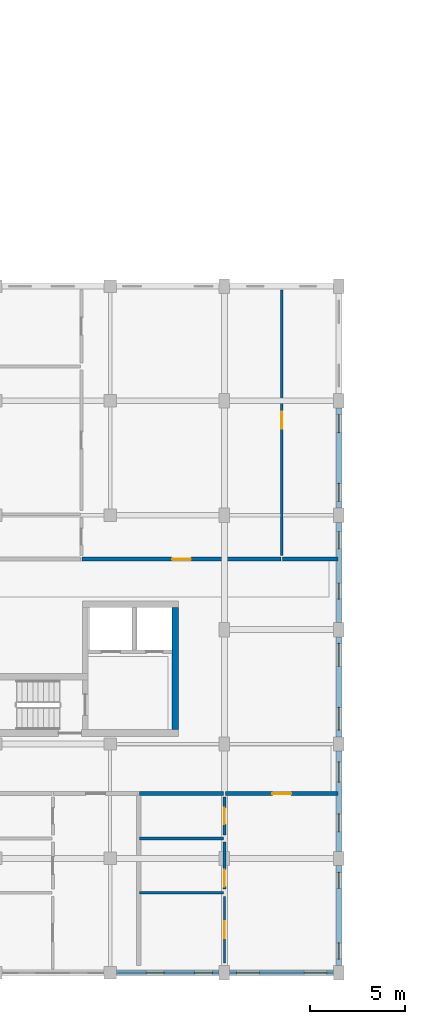
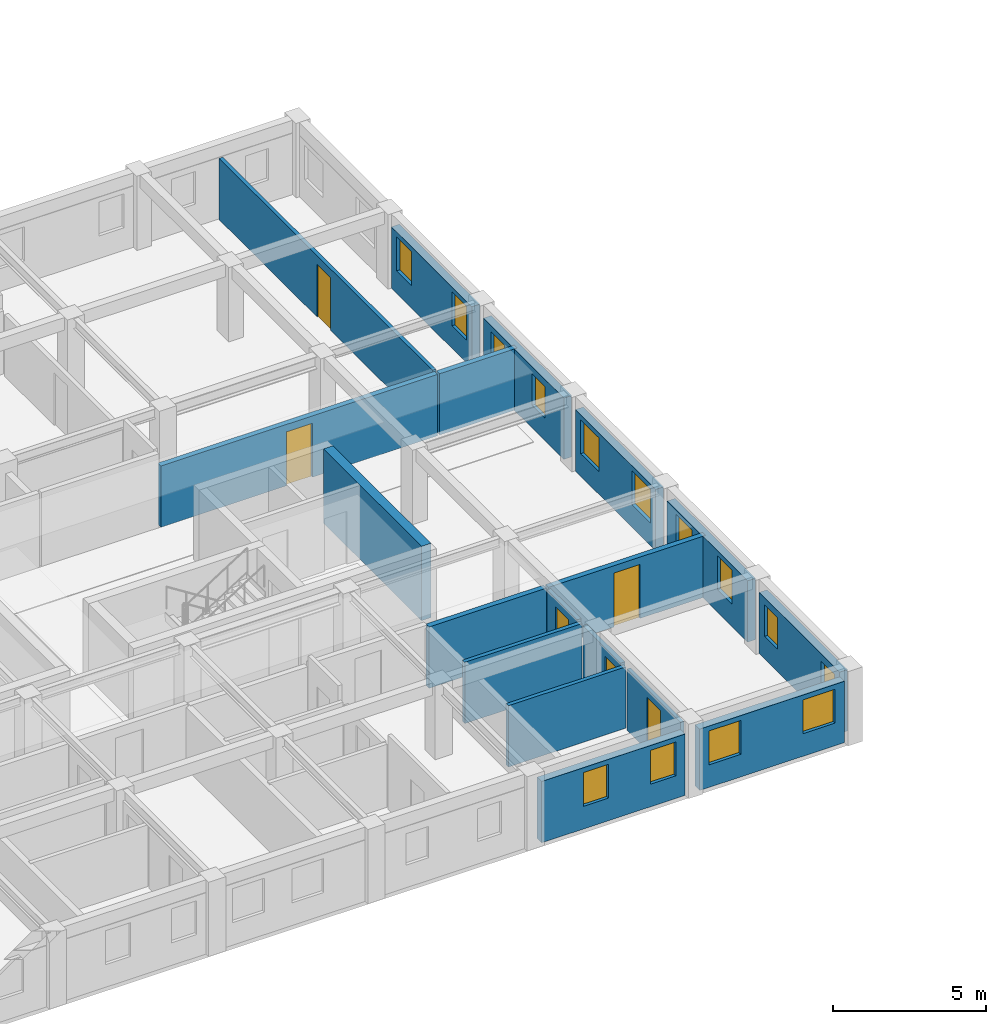
# One storey, part 75 of 100: 18 walls, 14 windows, 6 doors, 20 openings.
"""IFC4 building model written with IfcOpenShell, lengths in metres."""

from ifc_helpers import new_model, si_unit, direction, frame, frame_2d, origin, place, context, subcontext, project, spatial, rectangle, extrude, material, layer, layer_set, type_object, element, fill, save


model = new_model("IFC4")

# Units and contexts
model_context = context("Model", 3, precision=1e-05, world=origin(), true_north=direction((0.0, 1.0)))
body_context = subcontext(model_context, "Body", "Model", "MODEL_VIEW")
ifc_project = project(units=[si_unit("LENGTHUNIT", "METRE"), si_unit("AREAUNIT", "SQUARE_METRE"), si_unit("VOLUMEUNIT", "CUBIC_METRE"), si_unit("PLANEANGLEUNIT", "RADIAN"), si_unit("MASSUNIT", "GRAM", prefix="KILO"), si_unit("POWERUNIT", "WATT"), si_unit("THERMODYNAMICTEMPERATUREUNIT", "KELVIN")], contexts=[model_context])

# Site, building, storey
site_placement = place(None, origin())
site = spatial("IfcSite", under=ifc_project, at=site_placement, CompositionType="ELEMENT")
building_placement = place(site_placement, origin())
building = spatial("IfcBuilding", under=site, at=building_placement, Name="Ruvembo Vaulted Housing Court", CompositionType="ELEMENT")
storey_placement = place(building_placement, frame((0.0, 0.0, 10.89990234375)))
storey = spatial("IfcBuildingStorey", under=building, at=storey_placement, Name="L03", CompositionType="ELEMENT", Elevation=10.89990234375)

# Walls
ifc_material_1 = material(Name="Concrete C35/45", Category="concrete")
ifc_layer_1 = layer(ifc_material_1, 0.35009765625, Name="Concrete C35/45")
ifc_layer_set_1 = layer_set([ifc_layer_1], Name="Concrete C35/45")
wall_type_1 = type_object("IfcWallType", Name="WL-CORE-350", PredefinedType="SHEAR", material=ifc_layer_set_1)
wall_1_placement = place(storey_placement, frame((129.425048828125, 12.75, 0.0), z_axis=(0.0, 0.0, 1.0), x_axis=(0.0, 1.0, 0.0)))
element("IfcWall", 1, at=wall_1_placement, inside=storey, type_object=wall_type_1, Name="Core C2 L03 East Shear Wall", PredefinedType="SHEAR", context=body_context, shape_type="SweptSolid", body=[
    extrude(rectangle(XDim=6.39990234375, YDim=0.35009765625, at=frame_2d((3.199951171875, 0.0))), origin(), (0.0, 0.0, 1.0), 2.960205078125),
])
ifc_material_2 = material(Name="Concrete Blockwork 200", Category="masonry")
ifc_layer_2 = layer(ifc_material_2, 0.199951171875, Name="Concrete Blockwork 200")
ifc_layer_set_2 = layer_set([ifc_layer_2], Name="Concrete Blockwork 200")
wall_type_2 = type_object("IfcWallType", Name="WL-CORR-200", PredefinedType="SOLIDWALL", material=ifc_layer_set_2)
wall_2_placement = place(storey_placement, frame((127.5400390625, 9.39990234375, 0.0), z_axis=(0.0, 0.0, 1.0), x_axis=(1.0, 0.0, 0.0)))
element("IfcWall", 2, at=wall_2_placement, inside=storey, type_object=wall_type_2, Name="L03 Flat C-L03-S4 Corridor Wall WL-INT-L03-00899", PredefinedType="SOLIDWALL", context=body_context, shape_type="SweptSolid", body=[
    extrude(rectangle(XDim=4.419921875, YDim=0.199951171875, at=frame_2d((2.2099609375, 0.0))), origin(), (0.0, 0.0, 1.0), 2.442138671875),
])

# Wall, opening, door
wall_3_placement = place(storey_placement, frame((132.0400390625, 9.39990234375, 0.0), z_axis=(0.0, 0.0, 1.0), x_axis=(1.0, 0.0, 0.0)))
wall_3 = element("IfcWall", 3, at=wall_3_placement, inside=storey, type_object=wall_type_2, Name="L03 Flat C-L03-S4 Entrance WL-INT-L03-00900", PredefinedType="SOLIDWALL", context=body_context, shape_type="SweptSolid", body=[
    extrude(rectangle(XDim=5.919921875, YDim=0.199951171875, at=frame_2d((2.9599609375, 0.0))), origin(), (0.0, 0.0, 1.0), 2.442138671875),
])
opening_1_placement = place(wall_3_placement, frame((2.469970703125, 0.0, 0.0)))
opening_1 = element("IfcOpeningElement", 4, at=opening_1_placement, cuts=wall_3, Name="Opening FD2", PredefinedType="OPENING", context=body_context, shape_type="SweptSolid", body=[
    extrude(rectangle(XDim=0.97998046875, YDim=2.14990234375, at=frame_2d((0.489990234375, 1.074951171875))), frame((0.0, 0.10986328125, 0.0), z_axis=(0.0, -1.0, 0.0), x_axis=(1.0, 0.0, 0.0)), (0.0, 0.0, 1.0), 0.219970703125),
])
ifc_material_3 = material(Name="FSC Hardwood and Engineered Timber", Category="wood")
door_type_1 = type_object("IfcDoorType", Name="DR-FLAT-0980x2150", OperationType="NOTDEFINED", PredefinedType="DOOR", material=ifc_material_3)
door_1_placement = place(opening_1_placement, origin())
door_1 = element("IfcDoor", 5, at=door_1_placement, inside=storey, type_object=door_type_1, Name="L03 Flat C-L03-S4 Entrance Door DR-INT-L03-00496", OperationType="SINGLE_SWING_RIGHT", OverallHeight=2.14990234375, OverallWidth=0.97998046875, PredefinedType="DOOR", context=body_context, shape_type="SweptSolid", body=[
    extrude(rectangle(XDim=0.97998046875, YDim=2.14990234375, at=frame_2d((0.489990234375, 1.074951171875))), frame((0.0, 0.02490234375, 0.0), z_axis=(0.0, -1.0, 0.0), x_axis=(1.0, 0.0, 0.0)), (0.0, 0.0, 1.0), 0.050048828125),
])
fill(opening_1, door_1)

wall_4_placement = place(storey_placement, frame((124.5400390625, 21.699951171875, 0.0), z_axis=(0.0, 0.0, 1.0), x_axis=(1.0, 0.0, 0.0)))
wall_4 = element("IfcWall", 6, at=wall_4_placement, inside=storey, type_object=wall_type_2, Name="L03 Flat C-L03-N2 Entrance WL-INT-L03-00917", PredefinedType="SOLIDWALL", context=body_context, shape_type="SweptSolid", body=[
    extrude(rectangle(XDim=10.419921875, YDim=0.199951171875, at=frame_2d((5.2099609375, 0.0))), origin(), (0.0, 0.0, 1.0), 2.442138671875),
])
opening_2_placement = place(wall_4_placement, frame((4.719970703125, 0.0, 0.0)))
opening_2 = element("IfcOpeningElement", 7, at=opening_2_placement, cuts=wall_4, Name="Opening FD2", PredefinedType="OPENING", context=body_context, shape_type="SweptSolid", body=[
    extrude(rectangle(XDim=0.97998046875, YDim=2.14990234375, at=frame_2d((0.489990234375, 1.074951171875))), frame((0.0, 0.10986328125, 0.0), z_axis=(0.0, -1.0, 0.0), x_axis=(1.0, 0.0, 0.0)), (0.0, 0.0, 1.0), 0.219970703125),
])
door_2_placement = place(opening_2_placement, origin())
door_2 = element("IfcDoor", 8, at=door_2_placement, inside=storey, type_object=door_type_1, Name="L03 Flat C-L03-N2 Entrance Door DR-INT-L03-00505", OperationType="SINGLE_SWING_LEFT", OverallHeight=2.14990234375, OverallWidth=0.97998046875, PredefinedType="DOOR", context=body_context, shape_type="SweptSolid", body=[
    extrude(rectangle(XDim=0.97998046875, YDim=2.14990234375, at=frame_2d((0.489990234375, 1.074951171875))), frame((0.0, 0.02490234375, 0.0), z_axis=(0.0, -1.0, 0.0), x_axis=(1.0, 0.0, 0.0)), (0.0, 0.0, 1.0), 0.050048828125),
])
fill(opening_2, door_2)

# Wall
wall_5_placement = place(storey_placement, frame((135.0400390625, 21.699951171875, 0.0), z_axis=(0.0, 0.0, 1.0), x_axis=(1.0, 0.0, 0.0)))
element("IfcWall", 9, at=wall_5_placement, inside=storey, type_object=wall_type_2, Name="L03 Flat C-L03-N2 Corridor Wall 2 WL-INT-L03-00923", PredefinedType="SOLIDWALL", context=body_context, shape_type="SweptSolid", body=[
    extrude(rectangle(XDim=2.919921875, YDim=0.199951171875, at=frame_2d((1.4599609375, 0.0))), origin(), (0.0, 0.0, 1.0), 2.442138671875),
])

# Wall, openings, windows
ifc_material_4 = material(Name="Rendered Masonry 300", Category="masonry")
ifc_layer_3 = layer(ifc_material_4, 0.300048828125, Name="Rendered Masonry 300")
ifc_layer_set_3 = layer_set([ifc_layer_3], Name="Rendered Masonry 300")
wall_type_3 = type_object("IfcWallType", Name="WL-EXT-300", PredefinedType="STANDARD", material=ifc_layer_set_3)
wall_6_placement = place(storey_placement, frame((126.324951171875, 0.0, 0.0), z_axis=(0.0, 0.0, 1.0), x_axis=(1.0, 0.0, 0.0)))
wall_6 = element("IfcWall", 10, at=wall_6_placement, inside=storey, type_object=wall_type_3, Name="Block C L03 Exterior Wall STREET #5", PredefinedType="STANDARD", context=body_context, shape_type="SweptSolid", body=[
    extrude(rectangle(XDim=5.400146484375, YDim=0.300048828125, at=frame_2d((2.7001953125, 0.0))), origin(), (0.0, 0.0, 1.0), 2.442138671875),
])
opening_3_placement = place(wall_6_placement, frame((1.56494140625, 0.0, 0.89990234375)))
opening_3 = element("IfcOpeningElement", 11, at=opening_3_placement, cuts=wall_6, Name="Opening W07", PredefinedType="OPENING", context=body_context, shape_type="SweptSolid", body=[
    extrude(rectangle(XDim=0.949951171875, YDim=1.35009765625, at=frame_2d((0.47509765625, 0.675048828125))), frame((0.0, 0.159912109375, 0.0), z_axis=(0.0, -1.0, 0.0), x_axis=(1.0, 0.0, 0.0)), (0.0, 0.0, 1.0), 0.320068359375),
])
opening_4_placement = place(wall_6_placement, frame((4.10009765625, 0.0, 0.89990234375)))
opening_4 = element("IfcOpeningElement", 12, at=opening_4_placement, cuts=wall_6, Name="Opening W07", PredefinedType="OPENING", context=body_context, shape_type="SweptSolid", body=[
    extrude(rectangle(XDim=0.949951171875, YDim=1.35009765625, at=frame_2d((0.47509765625, 0.675048828125))), frame((0.0, 0.159912109375, 0.0), z_axis=(0.0, -1.0, 0.0), x_axis=(1.0, 0.0, 0.0)), (0.0, 0.0, 1.0), 0.320068359375),
])
ifc_material_5 = material(Name="Double Solar-Control Glazing in Aluminium Frame", Category="aluminium")
window_type_1 = type_object("IfcWindowType", Name="WIN-0950x1350", PartitioningType="SINGLE_PANEL", PredefinedType="WINDOW", material=ifc_material_5)
window_1_placement = place(opening_3_placement, origin())
window_1 = element("IfcWindow", 13, at=window_1_placement, inside=storey, type_object=window_type_1, Name="Block C L03 Window #1203", OverallHeight=1.35009765625, OverallWidth=0.949951171875, PartitioningType="SINGLE_PANEL", PredefinedType="WINDOW", context=body_context, shape_type="SweptSolid", body=[
    extrude(rectangle(XDim=0.949951171875, YDim=1.35009765625, at=frame_2d((0.47509765625, 0.675048828125))), frame((0.0, 0.030029296875, 0.0), z_axis=(0.0, -1.0, 0.0), x_axis=(1.0, 0.0, 0.0)), (0.0, 0.0, 1.0), 0.06005859375),
])
fill(opening_3, window_1)
window_2_placement = place(opening_4_placement, origin())
window_2 = element("IfcWindow", 14, at=window_2_placement, inside=storey, type_object=window_type_1, Name="Block C L03 Window #1204", OverallHeight=1.35009765625, OverallWidth=0.949951171875, PartitioningType="SINGLE_PANEL", PredefinedType="WINDOW", context=body_context, shape_type="SweptSolid", body=[
    extrude(rectangle(XDim=0.949951171875, YDim=1.35009765625, at=frame_2d((0.47509765625, 0.675048828125))), frame((0.0, 0.030029296875, 0.0), z_axis=(0.0, -1.0, 0.0), x_axis=(1.0, 0.0, 0.0)), (0.0, 0.0, 1.0), 0.06005859375),
])
fill(opening_4, window_2)

wall_7_placement = place(storey_placement, frame((132.27490234375, 0.0, 0.0), z_axis=(0.0, 0.0, 1.0), x_axis=(1.0, 0.0, 0.0)))
wall_7 = element("IfcWall", 15, at=wall_7_placement, inside=storey, type_object=wall_type_3, Name="Block C L03 Exterior Wall STREET #6", PredefinedType="STANDARD", context=body_context, shape_type="SweptSolid", body=[
    extrude(rectangle(XDim=5.4501953125, YDim=0.300048828125, at=frame_2d((2.72509765625, 0.0))), origin(), (0.0, 0.0, 1.0), 2.442138671875),
])
opening_5_placement = place(wall_7_placement, frame((0.35009765625, 0.0, 0.89990234375)))
opening_5 = element("IfcOpeningElement", 16, at=opening_5_placement, cuts=wall_7, Name="Opening W12", PredefinedType="OPENING", context=body_context, shape_type="SweptSolid", body=[
    extrude(rectangle(XDim=1.199951171875, YDim=1.35009765625, at=frame_2d((0.60009765625, 0.675048828125))), frame((0.0, 0.159912109375, 0.0), z_axis=(0.0, -1.0, 0.0), x_axis=(1.0, 0.0, 0.0)), (0.0, 0.0, 1.0), 0.320068359375),
])
opening_6_placement = place(wall_7_placement, frame((3.89990234375, 0.0, 0.89990234375)))
opening_6 = element("IfcOpeningElement", 17, at=opening_6_placement, cuts=wall_7, Name="Opening W12", PredefinedType="OPENING", context=body_context, shape_type="SweptSolid", body=[
    extrude(rectangle(XDim=1.199951171875, YDim=1.35009765625, at=frame_2d((0.60009765625, 0.675048828125))), frame((0.0, 0.159912109375, 0.0), z_axis=(0.0, -1.0, 0.0), x_axis=(1.0, 0.0, 0.0)), (0.0, 0.0, 1.0), 0.320068359375),
])
window_type_2 = type_object("IfcWindowType", Name="WIN-1200x1350", PartitioningType="SINGLE_PANEL", PredefinedType="WINDOW", material=ifc_material_5)
window_3_placement = place(opening_5_placement, origin())
window_3 = element("IfcWindow", 18, at=window_3_placement, inside=storey, type_object=window_type_2, Name="Block C L03 Window #1205", OverallHeight=1.35009765625, OverallWidth=1.199951171875, PartitioningType="SINGLE_PANEL", PredefinedType="WINDOW", context=body_context, shape_type="SweptSolid", body=[
    extrude(rectangle(XDim=1.199951171875, YDim=1.35009765625, at=frame_2d((0.60009765625, 0.675048828125))), frame((0.0, 0.030029296875, 0.0), z_axis=(0.0, -1.0, 0.0), x_axis=(1.0, 0.0, 0.0)), (0.0, 0.0, 1.0), 0.06005859375),
])
fill(opening_5, window_3)
window_4_placement = place(opening_6_placement, origin())
window_4 = element("IfcWindow", 19, at=window_4_placement, inside=storey, type_object=window_type_2, Name="Block C L03 Window #1206", OverallHeight=1.35009765625, OverallWidth=1.199951171875, PartitioningType="SINGLE_PANEL", PredefinedType="WINDOW", context=body_context, shape_type="SweptSolid", body=[
    extrude(rectangle(XDim=1.199951171875, YDim=1.35009765625, at=frame_2d((0.60009765625, 0.675048828125))), frame((0.0, 0.030029296875, 0.0), z_axis=(0.0, -1.0, 0.0), x_axis=(1.0, 0.0, 0.0)), (0.0, 0.0, 1.0), 0.06005859375),
])
fill(opening_6, window_4)

wall_8_placement = place(storey_placement, frame((138.0, 0.375, 0.0), z_axis=(0.0, 0.0, 1.0), x_axis=(0.0, 1.0, 0.0)))
wall_8 = element("IfcWall", 20, at=wall_8_placement, inside=storey, type_object=wall_type_3, Name="Block C L03 Exterior Wall EAST #1", PredefinedType="STANDARD", context=body_context, shape_type="SweptSolid", body=[
    extrude(rectangle(XDim=5.25, YDim=0.300048828125, at=frame_2d((2.625, 0.0))), origin(), (0.0, 0.0, 1.0), 2.442138671875),
])
opening_7_placement = place(wall_8_placement, frame((0.35009765625, 0.0, 0.89990234375)))
opening_7 = element("IfcOpeningElement", 21, at=opening_7_placement, cuts=wall_8, Name="Opening W03", PredefinedType="OPENING", context=body_context, shape_type="SweptSolid", body=[
    extrude(rectangle(XDim=0.85009765625, YDim=1.25, at=frame_2d((0.425048828125, 0.625))), frame((0.0, 0.159912109375, 0.0), z_axis=(0.0, -1.0, 0.0), x_axis=(1.0, 0.0, 0.0)), (0.0, 0.0, 1.0), 0.320068359375),
])
opening_8_placement = place(wall_8_placement, frame((4.050048828125, 0.0, 0.89990234375)))
opening_8 = element("IfcOpeningElement", 22, at=opening_8_placement, cuts=wall_8, Name="Opening W03", PredefinedType="OPENING", context=body_context, shape_type="SweptSolid", body=[
    extrude(rectangle(XDim=0.85009765625, YDim=1.25, at=frame_2d((0.425048828125, 0.625))), frame((0.0, 0.159912109375, 0.0), z_axis=(0.0, -1.0, 0.0), x_axis=(1.0, 0.0, 0.0)), (0.0, 0.0, 1.0), 0.320068359375),
])
window_type_3 = type_object("IfcWindowType", Name="WIN-0850x1250", PartitioningType="SINGLE_PANEL", PredefinedType="WINDOW", material=ifc_material_5)
window_5_placement = place(opening_7_placement, origin())
window_5 = element("IfcWindow", 23, at=window_5_placement, inside=storey, type_object=window_type_3, Name="Block C L03 Window #1207", OverallHeight=1.25, OverallWidth=0.85009765625, PartitioningType="SINGLE_PANEL", PredefinedType="WINDOW", context=body_context, shape_type="SweptSolid", body=[
    extrude(rectangle(XDim=0.85009765625, YDim=1.25, at=frame_2d((0.425048828125, 0.625))), frame((0.0, 0.030029296875, 0.0), z_axis=(0.0, -1.0, 0.0), x_axis=(1.0, 0.0, 0.0)), (0.0, 0.0, 1.0), 0.06005859375),
])
fill(opening_7, window_5)
window_6_placement = place(opening_8_placement, origin())
window_6 = element("IfcWindow", 24, at=window_6_placement, inside=storey, type_object=window_type_3, Name="Block C L03 Window #1208", OverallHeight=1.25, OverallWidth=0.85009765625, PartitioningType="SINGLE_PANEL", PredefinedType="WINDOW", context=body_context, shape_type="SweptSolid", body=[
    extrude(rectangle(XDim=0.85009765625, YDim=1.25, at=frame_2d((0.425048828125, 0.625))), frame((0.0, 0.030029296875, 0.0), z_axis=(0.0, -1.0, 0.0), x_axis=(1.0, 0.0, 0.0)), (0.0, 0.0, 1.0), 0.06005859375),
])
fill(opening_8, window_6)

wall_9_placement = place(storey_placement, frame((138.0, 6.375, 0.0), z_axis=(0.0, 0.0, 1.0), x_axis=(0.0, 1.0, 0.0)))
wall_9 = element("IfcWall", 25, at=wall_9_placement, inside=storey, type_object=wall_type_3, Name="Block C L03 Exterior Wall EAST #2", PredefinedType="STANDARD", context=body_context, shape_type="SweptSolid", body=[
    extrude(rectangle(XDim=5.25, YDim=0.300048828125, at=frame_2d((2.625, 0.0))), origin(), (0.0, 0.0, 1.0), 2.442138671875),
])
opening_9_placement = place(wall_9_placement, frame((1.017578125, 0.0, 0.89990234375)))
opening_9 = element("IfcOpeningElement", 26, at=opening_9_placement, cuts=wall_9, Name="Opening W07", PredefinedType="OPENING", context=body_context, shape_type="SweptSolid", body=[
    extrude(rectangle(XDim=0.949951171875, YDim=1.35009765625, at=frame_2d((0.47509765625, 0.675048828125))), frame((0.0, 0.159912109375, 0.0), z_axis=(0.0, -1.0, 0.0), x_axis=(1.0, 0.0, 0.0)), (0.0, 0.0, 1.0), 0.320068359375),
])
opening_10_placement = place(wall_9_placement, frame((3.632568359375, 0.0, 0.89990234375)))
opening_10 = element("IfcOpeningElement", 27, at=opening_10_placement, cuts=wall_9, Name="Opening W09", PredefinedType="OPENING", context=body_context, shape_type="SweptSolid", body=[
    extrude(rectangle(XDim=1.050048828125, YDim=1.35009765625, at=frame_2d((0.52490234375, 0.675048828125))), frame((0.0, 0.159912109375, 0.0), z_axis=(0.0, -1.0, 0.0), x_axis=(1.0, 0.0, 0.0)), (0.0, 0.0, 1.0), 0.320068359375),
])
window_7_placement = place(opening_9_placement, origin())
window_7 = element("IfcWindow", 28, at=window_7_placement, inside=storey, type_object=window_type_1, Name="Block C L03 Window #1209", OverallHeight=1.35009765625, OverallWidth=0.949951171875, PartitioningType="SINGLE_PANEL", PredefinedType="WINDOW", context=body_context, shape_type="SweptSolid", body=[
    extrude(rectangle(XDim=0.949951171875, YDim=1.35009765625, at=frame_2d((0.47509765625, 0.675048828125))), frame((0.0, 0.030029296875, 0.0), z_axis=(0.0, -1.0, 0.0), x_axis=(1.0, 0.0, 0.0)), (0.0, 0.0, 1.0), 0.06005859375),
])
fill(opening_9, window_7)
window_type_4 = type_object("IfcWindowType", Name="WIN-1050x1350", PartitioningType="SINGLE_PANEL", PredefinedType="WINDOW", material=ifc_material_5)
window_8_placement = place(opening_10_placement, origin())
window_8 = element("IfcWindow", 29, at=window_8_placement, inside=storey, type_object=window_type_4, Name="Block C L03 Window #1210", OverallHeight=1.35009765625, OverallWidth=1.050048828125, PartitioningType="SINGLE_PANEL", PredefinedType="WINDOW", context=body_context, shape_type="SweptSolid", body=[
    extrude(rectangle(XDim=1.050048828125, YDim=1.35009765625, at=frame_2d((0.52490234375, 0.675048828125))), frame((0.0, 0.030029296875, 0.0), z_axis=(0.0, -1.0, 0.0), x_axis=(1.0, 0.0, 0.0)), (0.0, 0.0, 1.0), 0.06005859375),
])
fill(opening_10, window_8)

wall_10_placement = place(storey_placement, frame((138.0, 12.375, 0.0), z_axis=(0.0, 0.0, 1.0), x_axis=(0.0, 1.0, 0.0)))
wall_10 = element("IfcWall", 30, at=wall_10_placement, inside=storey, type_object=wall_type_3, Name="Block C L03 Exterior Wall EAST #3", PredefinedType="STANDARD", context=body_context, shape_type="SweptSolid", body=[
    extrude(rectangle(XDim=5.25, YDim=0.300048828125, at=frame_2d((2.625, 0.0))), origin(), (0.0, 0.0, 1.0), 2.442138671875),
])
opening_11_placement = place(wall_10_placement, frame((0.35009765625, 0.0, 0.89990234375)))
opening_11 = element("IfcOpeningElement", 31, at=opening_11_placement, cuts=wall_10, Name="Opening W12", PredefinedType="OPENING", context=body_context, shape_type="SweptSolid", body=[
    extrude(rectangle(XDim=1.199951171875, YDim=1.35009765625, at=frame_2d((0.60009765625, 0.675048828125))), frame((0.0, 0.159912109375, 0.0), z_axis=(0.0, -1.0, 0.0), x_axis=(1.0, 0.0, 0.0)), (0.0, 0.0, 1.0), 0.320068359375),
])
opening_12_placement = place(wall_10_placement, frame((3.699951171875, 0.0, 0.89990234375)))
opening_12 = element("IfcOpeningElement", 32, at=opening_12_placement, cuts=wall_10, Name="Opening W12", PredefinedType="OPENING", context=body_context, shape_type="SweptSolid", body=[
    extrude(rectangle(XDim=1.199951171875, YDim=1.35009765625, at=frame_2d((0.60009765625, 0.675048828125))), frame((0.0, 0.159912109375, 0.0), z_axis=(0.0, -1.0, 0.0), x_axis=(1.0, 0.0, 0.0)), (0.0, 0.0, 1.0), 0.320068359375),
])
window_9_placement = place(opening_11_placement, origin())
window_9 = element("IfcWindow", 33, at=window_9_placement, inside=storey, type_object=window_type_2, Name="Block C L03 Window #1211", OverallHeight=1.35009765625, OverallWidth=1.199951171875, PartitioningType="SINGLE_PANEL", PredefinedType="WINDOW", context=body_context, shape_type="SweptSolid", body=[
    extrude(rectangle(XDim=1.199951171875, YDim=1.35009765625, at=frame_2d((0.60009765625, 0.675048828125))), frame((0.0, 0.030029296875, 0.0), z_axis=(0.0, -1.0, 0.0), x_axis=(1.0, 0.0, 0.0)), (0.0, 0.0, 1.0), 0.06005859375),
])
fill(opening_11, window_9)
window_10_placement = place(opening_12_placement, origin())
window_10 = element("IfcWindow", 34, at=window_10_placement, inside=storey, type_object=window_type_2, Name="Block C L03 Window #1212", OverallHeight=1.35009765625, OverallWidth=1.199951171875, PartitioningType="SINGLE_PANEL", PredefinedType="WINDOW", context=body_context, shape_type="SweptSolid", body=[
    extrude(rectangle(XDim=1.199951171875, YDim=1.35009765625, at=frame_2d((0.60009765625, 0.675048828125))), frame((0.0, 0.030029296875, 0.0), z_axis=(0.0, -1.0, 0.0), x_axis=(1.0, 0.0, 0.0)), (0.0, 0.0, 1.0), 0.06005859375),
])
fill(opening_12, window_10)

wall_11_placement = place(storey_placement, frame((138.0, 18.375, 0.0), z_axis=(0.0, 0.0, 1.0), x_axis=(0.0, 1.0, 0.0)))
wall_11 = element("IfcWall", 35, at=wall_11_placement, inside=storey, type_object=wall_type_3, Name="Block C L03 Exterior Wall EAST #4", PredefinedType="STANDARD", context=body_context, shape_type="SweptSolid", body=[
    extrude(rectangle(XDim=5.25, YDim=0.300048828125, at=frame_2d((2.625, 0.0))), origin(), (0.0, 0.0, 1.0), 2.442138671875),
])
opening_13_placement = place(wall_11_placement, frame((1.217529296875, 0.0, 0.89990234375)))
opening_13 = element("IfcOpeningElement", 36, at=opening_13_placement, cuts=wall_11, Name="Opening W03", PredefinedType="OPENING", context=body_context, shape_type="SweptSolid", body=[
    extrude(rectangle(XDim=0.85009765625, YDim=1.25, at=frame_2d((0.425048828125, 0.625))), frame((0.0, 0.159912109375, 0.0), z_axis=(0.0, -1.0, 0.0), x_axis=(1.0, 0.0, 0.0)), (0.0, 0.0, 1.0), 0.320068359375),
])
opening_14_placement = place(wall_11_placement, frame((3.857421875, 0.0, 0.89990234375)))
opening_14 = element("IfcOpeningElement", 37, at=opening_14_placement, cuts=wall_11, Name="Opening W04", PredefinedType="OPENING", context=body_context, shape_type="SweptSolid", body=[
    extrude(rectangle(XDim=0.89990234375, YDim=1.300048828125, at=frame_2d((0.449951171875, 0.64990234375))), frame((0.0, 0.159912109375, 0.0), z_axis=(0.0, -1.0, 0.0), x_axis=(1.0, 0.0, 0.0)), (0.0, 0.0, 1.0), 0.320068359375),
])
window_11_placement = place(opening_13_placement, origin())
window_11 = element("IfcWindow", 38, at=window_11_placement, inside=storey, type_object=window_type_3, Name="Block C L03 Window #1213", OverallHeight=1.25, OverallWidth=0.85009765625, PartitioningType="SINGLE_PANEL", PredefinedType="WINDOW", context=body_context, shape_type="SweptSolid", body=[
    extrude(rectangle(XDim=0.85009765625, YDim=1.25, at=frame_2d((0.425048828125, 0.625))), frame((0.0, 0.030029296875, 0.0), z_axis=(0.0, -1.0, 0.0), x_axis=(1.0, 0.0, 0.0)), (0.0, 0.0, 1.0), 0.06005859375),
])
fill(opening_13, window_11)
window_type_5 = type_object("IfcWindowType", Name="WIN-0900x1300", PartitioningType="SINGLE_PANEL", PredefinedType="WINDOW", material=ifc_material_5)
window_12_placement = place(opening_14_placement, origin())
window_12 = element("IfcWindow", 39, at=window_12_placement, inside=storey, type_object=window_type_5, Name="Block C L03 Window #1214", OverallHeight=1.300048828125, OverallWidth=0.89990234375, PartitioningType="SINGLE_PANEL", PredefinedType="WINDOW", context=body_context, shape_type="SweptSolid", body=[
    extrude(rectangle(XDim=0.89990234375, YDim=1.300048828125, at=frame_2d((0.449951171875, 0.64990234375))), frame((0.0, 0.030029296875, 0.0), z_axis=(0.0, -1.0, 0.0), x_axis=(1.0, 0.0, 0.0)), (0.0, 0.0, 1.0), 0.06005859375),
])
fill(opening_14, window_12)

wall_12_placement = place(storey_placement, frame((138.0, 24.375, 0.0), z_axis=(0.0, 0.0, 1.0), x_axis=(0.0, 1.0, 0.0)))
wall_12 = element("IfcWall", 40, at=wall_12_placement, inside=storey, type_object=wall_type_3, Name="Block C L03 Exterior Wall EAST #5", PredefinedType="STANDARD", context=body_context, shape_type="SweptSolid", body=[
    extrude(rectangle(XDim=5.25, YDim=0.300048828125, at=frame_2d((2.625, 0.0))), origin(), (0.0, 0.0, 1.0), 2.442138671875),
])
opening_15_placement = place(wall_12_placement, frame((0.35009765625, 0.0, 0.89990234375)))
opening_15 = element("IfcOpeningElement", 41, at=opening_15_placement, cuts=wall_12, Name="Opening W07", PredefinedType="OPENING", context=body_context, shape_type="SweptSolid", body=[
    extrude(rectangle(XDim=0.949951171875, YDim=1.35009765625, at=frame_2d((0.47509765625, 0.675048828125))), frame((0.0, 0.159912109375, 0.0), z_axis=(0.0, -1.0, 0.0), x_axis=(1.0, 0.0, 0.0)), (0.0, 0.0, 1.0), 0.320068359375),
])
opening_16_placement = place(wall_12_placement, frame((3.949951171875, 0.0, 0.89990234375)))
opening_16 = element("IfcOpeningElement", 42, at=opening_16_placement, cuts=wall_12, Name="Opening W07", PredefinedType="OPENING", context=body_context, shape_type="SweptSolid", body=[
    extrude(rectangle(XDim=0.949951171875, YDim=1.35009765625, at=frame_2d((0.47509765625, 0.675048828125))), frame((0.0, 0.159912109375, 0.0), z_axis=(0.0, -1.0, 0.0), x_axis=(1.0, 0.0, 0.0)), (0.0, 0.0, 1.0), 0.320068359375),
])
window_13_placement = place(opening_15_placement, origin())
window_13 = element("IfcWindow", 43, at=window_13_placement, inside=storey, type_object=window_type_1, Name="Block C L03 Window #1215", OverallHeight=1.35009765625, OverallWidth=0.949951171875, PartitioningType="SINGLE_PANEL", PredefinedType="WINDOW", context=body_context, shape_type="SweptSolid", body=[
    extrude(rectangle(XDim=0.949951171875, YDim=1.35009765625, at=frame_2d((0.47509765625, 0.675048828125))), frame((0.0, 0.030029296875, 0.0), z_axis=(0.0, -1.0, 0.0), x_axis=(1.0, 0.0, 0.0)), (0.0, 0.0, 1.0), 0.06005859375),
])
fill(opening_15, window_13)
window_14_placement = place(opening_16_placement, origin())
window_14 = element("IfcWindow", 44, at=window_14_placement, inside=storey, type_object=window_type_1, Name="Block C L03 Window #1216", OverallHeight=1.35009765625, OverallWidth=0.949951171875, PartitioningType="SINGLE_PANEL", PredefinedType="WINDOW", context=body_context, shape_type="SweptSolid", body=[
    extrude(rectangle(XDim=0.949951171875, YDim=1.35009765625, at=frame_2d((0.47509765625, 0.675048828125))), frame((0.0, 0.030029296875, 0.0), z_axis=(0.0, -1.0, 0.0), x_axis=(1.0, 0.0, 0.0)), (0.0, 0.0, 1.0), 0.06005859375),
])
fill(opening_16, window_14)

# Wall, opening, door
ifc_material_6 = material(Name="Plasterboard Stud Partition 125", Category="gypsum")
ifc_layer_4 = layer(ifc_material_6, 0.125, Name="Plasterboard Stud Partition 125")
ifc_layer_set_4 = layer_set([ifc_layer_4], Name="Plasterboard Stud Partition 125")
wall_type_4 = type_object("IfcWallType", Name="WL-PART-125", PredefinedType="PARTITIONING", material=ifc_layer_set_4)
wall_13_placement = place(storey_placement, frame((132.0, 0.510009765625, 0.0), z_axis=(0.0, 0.0, 1.0), x_axis=(0.0, 1.0, 0.0)))
wall_13 = element("IfcWall", 45, at=wall_13_placement, inside=storey, type_object=wall_type_4, Name="L03 Flat C-L03-S4 Bedroom 1 WL-INT-L03-00901", PredefinedType="PARTITIONING", context=body_context, shape_type="SweptSolid", body=[
    extrude(rectangle(XDim=3.5, YDim=0.125, at=frame_2d((1.75, 0.0))), origin(), (0.0, 0.0, 1.0), 2.442138671875),
])
opening_17_placement = place(wall_13_placement, frame((1.31005859375, 0.0, 0.0)))
opening_17 = element("IfcOpeningElement", 46, at=opening_17_placement, cuts=wall_13, Name="Opening ID3", PredefinedType="OPENING", context=body_context, shape_type="SweptSolid", body=[
    extrude(rectangle(XDim=0.8798828125, YDim=2.10009765625, at=frame_2d((0.43994140625, 1.050048828125))), frame((0.0, 0.072509765625, 0.0), z_axis=(0.0, -1.0, 0.0), x_axis=(1.0, 0.0, 0.0)), (0.0, 0.0, 1.0), 0.14501953125),
])
door_type_2 = type_object("IfcDoorType", Name="DR-ROOM-0880x2100", OperationType="NOTDEFINED", PredefinedType="DOOR", material=ifc_material_3)
door_3_placement = place(opening_17_placement, origin())
door_3 = element("IfcDoor", 47, at=door_3_placement, inside=storey, type_object=door_type_2, Name="L03 Flat C-L03-S4 Bedroom 1 Door DR-INT-L03-00497", OperationType="SINGLE_SWING_LEFT", OverallHeight=2.10009765625, OverallWidth=0.8798828125, PredefinedType="DOOR", context=body_context, shape_type="SweptSolid", body=[
    extrude(rectangle(XDim=0.8798828125, YDim=2.10009765625, at=frame_2d((0.43994140625, 1.050048828125))), frame((0.0, 0.02490234375, 0.0), z_axis=(0.0, -1.0, 0.0), x_axis=(1.0, 0.0, 0.0)), (0.0, 0.0, 1.0), 0.050048828125),
])
fill(opening_17, door_3)

ifc_material_7 = material(Name="Acoustic Stud Partition 135", Category="gypsum")
ifc_layer_5 = layer(ifc_material_7, 0.135009765625, Name="Acoustic Stud Partition 135")
ifc_layer_set_5 = layer_set([ifc_layer_5], Name="Acoustic Stud Partition 135")
wall_type_5 = type_object("IfcWallType", Name="WL-PART-135", PredefinedType="PARTITIONING", material=ifc_layer_set_5)
wall_14_placement = place(storey_placement, frame((135.0, 21.889892578125, 0.0), z_axis=(0.0, 0.0, 1.0), x_axis=(0.0, 1.0, 0.0)))
wall_14 = element("IfcWall", 48, at=wall_14_placement, inside=storey, type_object=wall_type_5, Name="L03 Flat C-L03-N2 Bedroom 2 WL-INT-L03-00924", PredefinedType="PARTITIONING", context=body_context, shape_type="SweptSolid", body=[
    extrude(rectangle(XDim=13.920166015625, YDim=0.135009765625, at=frame_2d((6.9599609375, 0.0))), origin(), (0.0, 0.0, 1.0), 2.442138671875),
])
opening_18_placement = place(wall_14_placement, frame((6.64990234375, 0.0, 0.0)))
opening_18 = element("IfcOpeningElement", 49, at=opening_18_placement, cuts=wall_14, Name="Opening ID3", PredefinedType="OPENING", context=body_context, shape_type="SweptSolid", body=[
    extrude(rectangle(XDim=0.8798828125, YDim=2.10009765625, at=frame_2d((0.43994140625, 1.050048828125))), frame((0.0, 0.077392578125, 0.0), z_axis=(0.0, -1.0, 0.0), x_axis=(1.0, 0.0, 0.0)), (0.0, 0.0, 1.0), 0.155029296875),
])
door_4_placement = place(opening_18_placement, origin())
door_4 = element("IfcDoor", 50, at=door_4_placement, inside=storey, type_object=door_type_2, Name="L03 Flat C-L03-N2 Bedroom 2 Door DR-INT-L03-00509", OperationType="SINGLE_SWING_LEFT", OverallHeight=2.10009765625, OverallWidth=0.8798828125, PredefinedType="DOOR", context=body_context, shape_type="SweptSolid", body=[
    extrude(rectangle(XDim=0.8798828125, YDim=2.10009765625, at=frame_2d((0.43994140625, 1.050048828125))), frame((0.0, 0.02490234375, 0.0), z_axis=(0.0, -1.0, 0.0), x_axis=(1.0, 0.0, 0.0)), (0.0, 0.0, 1.0), 0.050048828125),
])
fill(opening_18, door_4)

ifc_material_8 = material(Name="Moisture-Resistant Wet Partition 150", Category="gypsum")
ifc_layer_6 = layer(ifc_material_8, 0.14990234375, Name="Moisture-Resistant Wet Partition 150")
ifc_layer_set_6 = layer_set([ifc_layer_6], Name="Moisture-Resistant Wet Partition 150")
wall_type_6 = type_object("IfcWallType", Name="WL-PART-150", PredefinedType="PARTITIONING", material=ifc_layer_set_6)
wall_15_placement = place(storey_placement, frame((132.0, 7.239990234375, 0.0), z_axis=(0.0, 0.0, 1.0), x_axis=(0.0, 1.0, 0.0)))
wall_15 = element("IfcWall", 51, at=wall_15_placement, inside=storey, type_object=wall_type_6, Name="L03 Flat C-L03-S4 Bathroom WL-INT-L03-00903", PredefinedType="PARTITIONING", context=body_context, shape_type="SweptSolid", body=[
    extrude(rectangle(XDim=1.969970703125, YDim=0.14990234375, at=frame_2d((0.98486328125, 0.0))), origin(), (0.0, 0.0, 1.0), 2.442138671875),
])
opening_19_placement = place(wall_15_placement, frame((0.56005859375, 0.0, 0.0)))
opening_19 = element("IfcOpeningElement", 52, at=opening_19_placement, cuts=wall_15, Name="Opening ID2", PredefinedType="OPENING", context=body_context, shape_type="SweptSolid", body=[
    extrude(rectangle(XDim=0.85009765625, YDim=2.10009765625, at=frame_2d((0.425048828125, 1.050048828125))), frame((0.0, 0.0849609375, 0.0), z_axis=(0.0, -1.0, 0.0), x_axis=(1.0, 0.0, 0.0)), (0.0, 0.0, 1.0), 0.169921875),
])
door_type_3 = type_object("IfcDoorType", Name="DR-WET-0850x2100", OperationType="NOTDEFINED", PredefinedType="DOOR", material=ifc_material_3)
door_5_placement = place(opening_19_placement, origin())
door_5 = element("IfcDoor", 53, at=door_5_placement, inside=storey, type_object=door_type_3, Name="L03 Flat C-L03-S4 Bathroom Door DR-INT-L03-00499", OperationType="SINGLE_SWING_LEFT", OverallHeight=2.10009765625, OverallWidth=0.85009765625, PredefinedType="DOOR", context=body_context, shape_type="SweptSolid", body=[
    extrude(rectangle(XDim=0.85009765625, YDim=2.10009765625, at=frame_2d((0.425048828125, 1.050048828125))), frame((0.0, 0.02490234375, 0.0), z_axis=(0.0, -1.0, 0.0), x_axis=(1.0, 0.0, 0.0)), (0.0, 0.0, 1.0), 0.050048828125),
])
fill(opening_19, door_5)

# Walls
for number, where, z_axis, x_axis, name in (
    (54, (127.5400390625, 4.199951171875, 0.0), (0.0, 0.0, 1.0), (1.0, 0.0, 0.0), "L03 Flat C-L03-S4 Wet Wall 1 WL-INT-L03-00904"),
    (55, (127.5400390625, 7.050048828125, 0.0), (0.0, 0.0, 1.0), (1.0, 0.0, 0.0), "L03 Flat C-L03-S4 Wet Wall 2 WL-INT-L03-00905"),
):
    element("IfcWall", number, at=place(storey_placement, frame(where, z_axis=z_axis, x_axis=x_axis)), inside=storey, type_object=wall_type_6, Name=name, PredefinedType="PARTITIONING", context=body_context, shape_type="SweptSolid", body=[
        extrude(rectangle(XDim=4.419921875, YDim=0.14990234375, at=frame_2d((2.2099609375, 0.0))), origin(), (0.0, 0.0, 1.0), 2.442138671875),
    ])

# Wall, opening, door
ifc_material_9 = material(Name="Acoustic Service Chase Wall 160", Category="gypsum")
ifc_layer_7 = layer(ifc_material_9, 0.159912109375, Name="Acoustic Service Chase Wall 160")
ifc_layer_set_7 = layer_set([ifc_layer_7], Name="Acoustic Service Chase Wall 160")
wall_type_7 = type_object("IfcWallType", Name="WL-PLUMB-160", PredefinedType="PLUMBINGWALL", material=ifc_layer_set_7)
wall_16_placement = place(storey_placement, frame((132.0, 4.389892578125, 0.0), z_axis=(0.0, 0.0, 1.0), x_axis=(0.0, 1.0, 0.0)))
wall_16 = element("IfcWall", 56, at=wall_16_placement, inside=storey, type_object=wall_type_7, Name="L03 Flat C-L03-S4 Kitchen WL-INT-L03-00902", PredefinedType="PLUMBINGWALL", context=body_context, shape_type="SweptSolid", body=[
    extrude(rectangle(XDim=2.47021484375, YDim=0.159912109375, at=frame_2d((1.235107421875, 0.0))), origin(), (0.0, 0.0, 1.0), 2.442138671875),
])
opening_20_placement = place(wall_16_placement, frame((0.1298828125, 0.0, 0.0)))
opening_20 = element("IfcOpeningElement", 57, at=opening_20_placement, cuts=wall_16, Name="Opening ID1", PredefinedType="OPENING", context=body_context, shape_type="SweptSolid", body=[
    extrude(rectangle(XDim=0.89990234375, YDim=2.10009765625, at=frame_2d((0.449951171875, 1.050048828125))), frame((0.0, 0.08984375, 0.0), z_axis=(0.0, -1.0, 0.0), x_axis=(1.0, 0.0, 0.0)), (0.0, 0.0, 1.0), 0.179931640625),
])
door_type_4 = type_object("IfcDoorType", Name="DR-ROOM-0900x2100", OperationType="NOTDEFINED", PredefinedType="DOOR", material=ifc_material_3)
door_6_placement = place(opening_20_placement, origin())
door_6 = element("IfcDoor", 58, at=door_6_placement, inside=storey, type_object=door_type_4, Name="L03 Flat C-L03-S4 Kitchen Door DR-INT-L03-00498", OperationType="SINGLE_SWING_RIGHT", OverallHeight=2.10009765625, OverallWidth=0.89990234375, PredefinedType="DOOR", context=body_context, shape_type="SweptSolid", body=[
    extrude(rectangle(XDim=0.89990234375, YDim=2.10009765625, at=frame_2d((0.449951171875, 1.050048828125))), frame((0.0, 0.02490234375, 0.0), z_axis=(0.0, -1.0, 0.0), x_axis=(1.0, 0.0, 0.0)), (0.0, 0.0, 1.0), 0.050048828125),
])
fill(opening_20, door_6)

save(model, "model.ifc")
